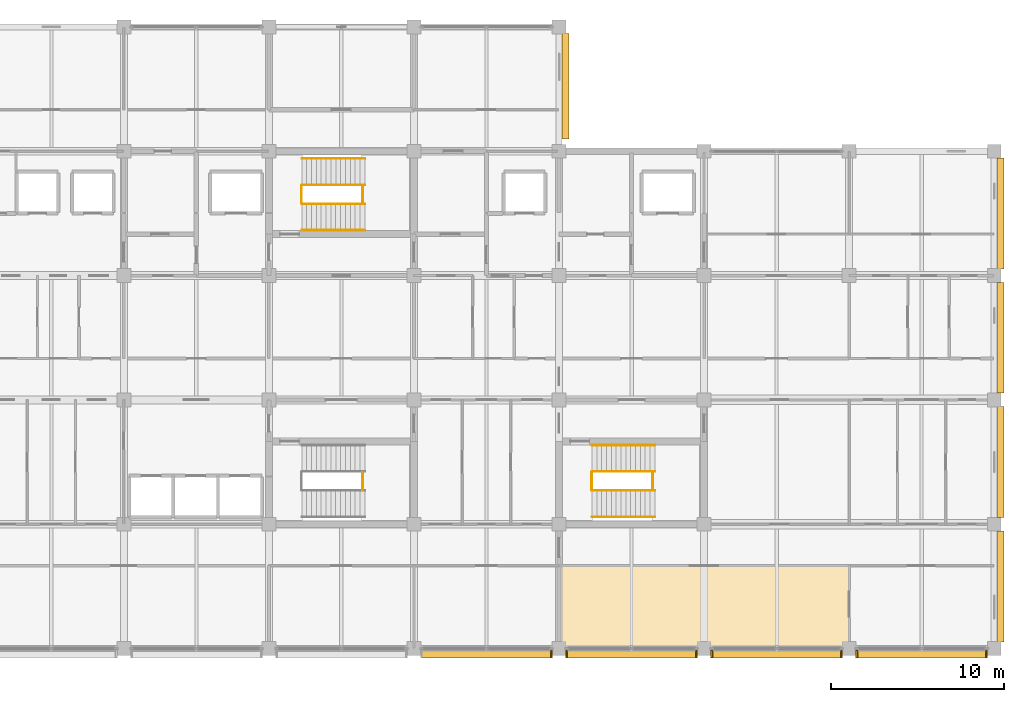
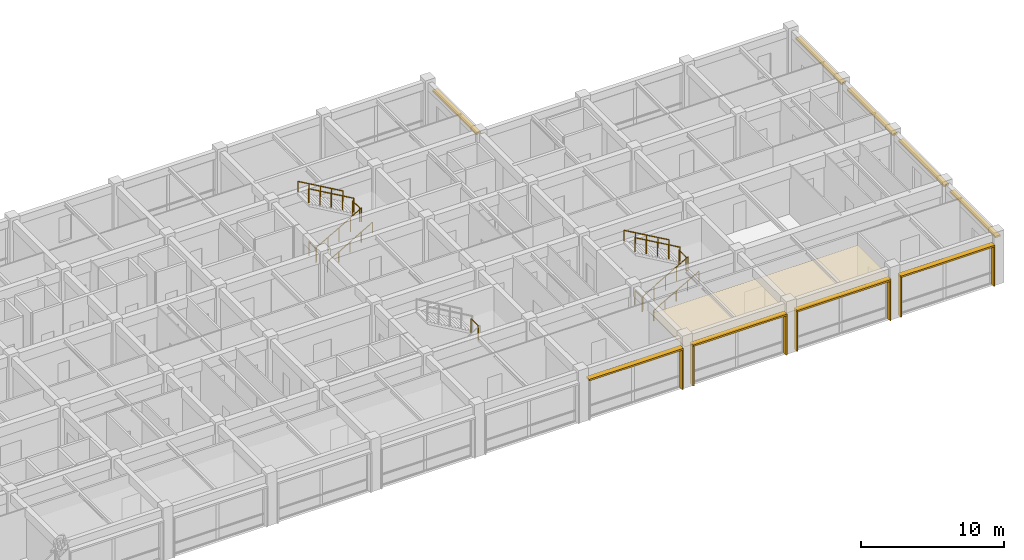
# One storey, part 30 of 30: 16 shading devices, 13 railings, 1 covering.
"""IFC4 building model written with IfcOpenShell, lengths in metres."""

from ifc_helpers import new_model, si_unit, direction, frame, origin, origin_2d, place, context, subcontext, project, spatial, polyline, rectangle, circle, outline, extrude, material, layer, layer_set, type_object, element, save


model = new_model("IFC4")

# Units and contexts
model_context = context("Model", 3, precision=1e-05, world=origin(), true_north=direction((0.0, 1.0)))
body_context = subcontext(model_context, "Body", "Model", "MODEL_VIEW")
ifc_project = project(units=[si_unit("LENGTHUNIT", "METRE"), si_unit("AREAUNIT", "SQUARE_METRE"), si_unit("VOLUMEUNIT", "CUBIC_METRE"), si_unit("PLANEANGLEUNIT", "RADIAN"), si_unit("MASSUNIT", "GRAM", prefix="KILO")], contexts=[model_context])

# Site, building, storey
site_placement = place(None, origin())
site = spatial("IfcSite", under=ifc_project, at=site_placement, CompositionType="ELEMENT")
building_placement = place(site_placement, origin())
building = spatial("IfcBuilding", under=site, at=building_placement, Name="Chengyuan Square Courthouse", CompositionType="ELEMENT")
storey_placement = place(building_placement, frame((0.0, 0.0, 26.10009765625)))
storey = spatial("IfcBuildingStorey", under=building, at=storey_placement, Name="L06", CompositionType="ELEMENT", Elevation=26.10009765625)

# Covering
ifc_material_1 = material(Name="Perforated Larch Glulam Acoustic Slat Ceiling", Category="wood")
ifc_layer = layer(ifc_material_1, 0.044921875)
ifc_layer_set = layer_set([ifc_layer], Name="Perforated Larch Glulam Acoustic Slat Ceiling")
covering_type = type_object("IfcCoveringType", Name="CLG-01", PredefinedType="CEILING", material=ifc_layer_set)
covering_placement = place(storey_placement, frame((0.0, 0.0, 3.139892578125)))
element("IfcCovering", 1, at=covering_placement, inside=storey, type_object=covering_type, Name="Acoustic Timber Slat Ceiling CLG-L06-CRT-M2", PredefinedType="CEILING", context=body_context, shape_type="SweptSolid", body=[
    extrude(outline(polyline([(117.64990234375, 79.25), (134.35009765625, 79.25), (134.35009765625, 83.949951171875), (117.64990234375, 83.949951171875), (117.64990234375, 79.25)])), origin(), (0.0, 0.0, 1.0), 0.044921875),
])

# Railings
ifc_material_2 = material(Name="Tempered Glass and Timber Top-Rail Balustrade", Category="wood")
railing_type_1 = type_object("IfcRailingType", Name="RL-02", PredefinedType="BALUSTRADE", material=ifc_material_2)
for number, where, name in (
    (2, (102.68994140625, 105.0, 0.0), "Stair Floor Slot Guard ST-2 L06"),
    (3, (106.22998046875, 105.0, 2.25), "Stair Landing Guard ST-2-L06"),
):
    element("IfcRailing", number, at=place(storey_placement, frame(where)), inside=storey, type_object=railing_type_1, Name=name, PredefinedType="BALUSTRADE", context=body_context, shape_type="SweptSolid", body=[
        extrude(circle(Radius=0.02392578125, at=origin_2d()), frame((0.0, 0.0, 1.17578125), z_axis=(0.0, 1.0, 0.0), x_axis=(-1.0, 0.0, 0.0)), (0.0, 0.0, 1.0), 1.0),
        extrude(circle(Radius=0.02099609375, at=origin_2d()), origin(), (0.0, 0.0, 1.0), 1.15185546875),
        extrude(circle(Radius=0.02099609375, at=origin_2d()), frame((0.0, 1.0, 0.0)), (0.0, 0.0, 1.0), 1.15185546875),
    ])
railing_1_placement = place(storey_placement, frame((102.7099609375, 104.949951171875, 0.16064453125)))
element("IfcRailing", 4, at=railing_1_placement, inside=storey, type_object=railing_type_1, Name="Stair Flight 1 Guard ST-2-L06", PredefinedType="BALUSTRADE", context=body_context, shape_type="SweptSolid", body=[
    extrude(circle(Radius=0.02392578125, at=origin_2d()), frame((0.0, 0.0, 1.17578125), z_axis=(0.867289372828, 0.0, 0.497804322781), x_axis=(0.0, 1.0, 0.0)), (0.0, 0.0, 1.0), 4.197021484375),
    extrude(circle(Radius=0.02099609375, at=origin_2d()), origin(), (0.0, 0.0, 1.0), 1.15185546875),
    extrude(circle(Radius=0.02099609375, at=origin_2d()), frame((0.91015625, 0.0, 0.5224609375)), (0.0, 0.0, 1.0), 1.15185546875),
    extrude(circle(Radius=0.02099609375, at=origin_2d()), frame((1.820068359375, 0.0, 1.044677734375)), (0.0, 0.0, 1.0), 1.15185546875),
    extrude(circle(Radius=0.02099609375, at=origin_2d()), frame((2.72998046875, 0.0, 1.56689453125)), (0.0, 0.0, 1.0), 1.15185546875),
    extrude(circle(Radius=0.02099609375, at=origin_2d()), frame((3.64013671875, 0.0, 2.08935546875)), (0.0, 0.0, 1.0), 1.15185546875),
])
railing_2_placement = place(storey_placement, frame((106.35009765625, 106.050048828125, 2.41064453125)))
element("IfcRailing", 5, at=railing_2_placement, inside=storey, type_object=railing_type_1, Name="Stair Flight 2 Guard ST-2-L06", PredefinedType="BALUSTRADE", context=body_context, shape_type="SweptSolid", body=[
    extrude(circle(Radius=0.02392578125, at=origin_2d()), frame((0.0, 0.0, 1.17578125), z_axis=(-0.867289372828, 0.0, 0.497804322781), x_axis=(0.0, -1.0, 0.0)), (0.0, 0.0, 1.0), 4.197021484375),
    extrude(circle(Radius=0.02099609375, at=origin_2d()), origin(), (0.0, 0.0, 1.0), 1.15185546875),
    extrude(circle(Radius=0.02099609375, at=origin_2d()), frame((-0.91015625, 0.0, 0.5224609375)), (0.0, 0.0, 1.0), 1.15185546875),
    extrude(circle(Radius=0.02099609375, at=origin_2d()), frame((-1.820068359375, 0.0, 1.044677734375)), (0.0, 0.0, 1.0), 1.15185546875),
    extrude(circle(Radius=0.02099609375, at=origin_2d()), frame((-2.72998046875, 0.0, 1.56689453125)), (0.0, 0.0, 1.0), 1.15185546875),
    extrude(circle(Radius=0.02099609375, at=origin_2d()), frame((-3.64013671875, 0.0, 2.08935546875)), (0.0, 0.0, 1.0), 1.15185546875),
])
for number, where, name in (
    (6, (106.22998046875, 88.39990234375, 2.25), "Stair Landing Guard ST-4-L06"),
    (7, (119.489990234375, 88.39990234375, 0.0), "Stair Floor Slot Guard ST-6 L06"),
    (8, (123.030029296875, 88.39990234375, 2.25), "Stair Landing Guard ST-6-L06"),
):
    element("IfcRailing", number, at=place(storey_placement, frame(where)), inside=storey, type_object=railing_type_1, Name=name, PredefinedType="BALUSTRADE", context=body_context, shape_type="SweptSolid", body=[
        extrude(circle(Radius=0.02392578125, at=origin_2d()), frame((0.0, 0.0, 1.17578125), z_axis=(0.0, 1.0, 0.0), x_axis=(-1.0, 0.0, 0.0)), (0.0, 0.0, 1.0), 1.0),
        extrude(circle(Radius=0.02099609375, at=origin_2d()), origin(), (0.0, 0.0, 1.0), 1.15185546875),
        extrude(circle(Radius=0.02099609375, at=origin_2d()), frame((0.0, 1.0, 0.0)), (0.0, 0.0, 1.0), 1.15185546875),
    ])
railing_3_placement = place(storey_placement, frame((119.510009765625, 88.35009765625, 0.16064453125)))
element("IfcRailing", 9, at=railing_3_placement, inside=storey, type_object=railing_type_1, Name="Stair Flight 1 Guard ST-6-L06", PredefinedType="BALUSTRADE", context=body_context, shape_type="SweptSolid", body=[
    extrude(circle(Radius=0.02392578125, at=origin_2d()), frame((0.0, 0.0, 1.17578125), z_axis=(0.8672749571, 0.0, 0.497829437445), x_axis=(0.0, 1.0, 0.0)), (0.0, 0.0, 1.0), 4.197021484375),
    extrude(circle(Radius=0.02099609375, at=origin_2d()), origin(), (0.0, 0.0, 1.0), 1.15185546875),
    extrude(circle(Radius=0.02099609375, at=origin_2d()), frame((0.909912109375, 0.0, 0.5224609375)), (0.0, 0.0, 1.0), 1.15185546875),
    extrude(circle(Radius=0.02099609375, at=origin_2d()), frame((1.81982421875, 0.0, 1.044677734375)), (0.0, 0.0, 1.0), 1.15185546875),
    extrude(circle(Radius=0.02099609375, at=origin_2d()), frame((2.72998046875, 0.0, 1.56689453125)), (0.0, 0.0, 1.0), 1.15185546875),
    extrude(circle(Radius=0.02099609375, at=origin_2d()), frame((3.639892578125, 0.0, 2.08935546875)), (0.0, 0.0, 1.0), 1.15185546875),
])
railing_4_placement = place(storey_placement, frame((123.14990234375, 89.449951171875, 2.41064453125)))
element("IfcRailing", 10, at=railing_4_placement, inside=storey, type_object=railing_type_1, Name="Stair Flight 2 Guard ST-6-L06", PredefinedType="BALUSTRADE", context=body_context, shape_type="SweptSolid", body=[
    extrude(circle(Radius=0.02392578125, at=origin_2d()), frame((0.0, 0.0, 1.17578125), z_axis=(-0.8672749571, 0.0, 0.497829437445), x_axis=(0.0, -1.0, 0.0)), (0.0, 0.0, 1.0), 4.197021484375),
    extrude(circle(Radius=0.02099609375, at=origin_2d()), origin(), (0.0, 0.0, 1.0), 1.15185546875),
    extrude(circle(Radius=0.02099609375, at=origin_2d()), frame((-0.909912109375, 0.0, 0.5224609375)), (0.0, 0.0, 1.0), 1.15185546875),
    extrude(circle(Radius=0.02099609375, at=origin_2d()), frame((-1.81982421875, 0.0, 1.044677734375)), (0.0, 0.0, 1.0), 1.15185546875),
    extrude(circle(Radius=0.02099609375, at=origin_2d()), frame((-2.72998046875, 0.0, 1.56689453125)), (0.0, 0.0, 1.0), 1.15185546875),
    extrude(circle(Radius=0.02099609375, at=origin_2d()), frame((-3.639892578125, 0.0, 2.08935546875)), (0.0, 0.0, 1.0), 1.15185546875),
])
ifc_material_3 = material(Name="Stainless Steel S30408 Stair Handrail", Category="steel")
railing_type_2 = type_object("IfcRailingType", Name="RL-04", PredefinedType="HANDRAIL", material=ifc_material_3)
railing_5_placement = place(storey_placement, frame((102.7099609375, 103.419921875, 0.16064453125)))
element("IfcRailing", 11, at=railing_5_placement, inside=storey, type_object=railing_type_2, Name="Stair Flight 1 Handrail ST-2-L06", PredefinedType="HANDRAIL", context=body_context, shape_type="SweptSolid", body=[
    extrude(circle(Radius=0.02392578125, at=origin_2d()), frame((0.0, 0.0, 0.8759765625), z_axis=(0.867289372828, 0.0, 0.497804322781), x_axis=(0.0, 1.0, 0.0)), (0.0, 0.0, 1.0), 4.197021484375),
    extrude(circle(Radius=0.02099609375, at=origin_2d()), origin(), (0.0, 0.0, 1.0), 0.851806640625),
    extrude(circle(Radius=0.02099609375, at=origin_2d()), frame((0.91015625, 0.0, 0.5224609375)), (0.0, 0.0, 1.0), 0.851806640625),
    extrude(circle(Radius=0.02099609375, at=origin_2d()), frame((1.820068359375, 0.0, 1.044677734375)), (0.0, 0.0, 1.0), 0.851806640625),
    extrude(circle(Radius=0.02099609375, at=origin_2d()), frame((2.72998046875, 0.0, 1.56689453125)), (0.0, 0.0, 1.0), 0.851806640625),
    extrude(circle(Radius=0.02099609375, at=origin_2d()), frame((3.64013671875, 0.0, 2.08935546875)), (0.0, 0.0, 1.0), 0.851806640625),
])
railing_6_placement = place(storey_placement, frame((106.35009765625, 107.580078125, 2.41064453125)))
element("IfcRailing", 12, at=railing_6_placement, inside=storey, type_object=railing_type_2, Name="Stair Flight 2 Handrail ST-2-L06", PredefinedType="HANDRAIL", context=body_context, shape_type="SweptSolid", body=[
    extrude(circle(Radius=0.02392578125, at=origin_2d()), frame((0.0, 0.0, 0.8759765625), z_axis=(-0.867289372828, 0.0, 0.497804322781), x_axis=(0.0, -1.0, 0.0)), (0.0, 0.0, 1.0), 4.197021484375),
    extrude(circle(Radius=0.02099609375, at=origin_2d()), origin(), (0.0, 0.0, 1.0), 0.851806640625),
    extrude(circle(Radius=0.02099609375, at=origin_2d()), frame((-0.91015625, 0.0, 0.5224609375)), (0.0, 0.0, 1.0), 0.851806640625),
    extrude(circle(Radius=0.02099609375, at=origin_2d()), frame((-1.820068359375, 0.0, 1.044677734375)), (0.0, 0.0, 1.0), 0.851806640625),
    extrude(circle(Radius=0.02099609375, at=origin_2d()), frame((-2.72998046875, 0.0, 1.56689453125)), (0.0, 0.0, 1.0), 0.851806640625),
    extrude(circle(Radius=0.02099609375, at=origin_2d()), frame((-3.64013671875, 0.0, 2.08935546875)), (0.0, 0.0, 1.0), 0.851806640625),
])
railing_7_placement = place(storey_placement, frame((119.510009765625, 86.820068359375, 0.16064453125)))
element("IfcRailing", 13, at=railing_7_placement, inside=storey, type_object=railing_type_2, Name="Stair Flight 1 Handrail ST-6-L06", PredefinedType="HANDRAIL", context=body_context, shape_type="SweptSolid", body=[
    extrude(circle(Radius=0.02392578125, at=origin_2d()), frame((0.0, 0.0, 0.8759765625), z_axis=(0.8672749571, 0.0, 0.497829437445), x_axis=(0.0, 1.0, 0.0)), (0.0, 0.0, 1.0), 4.197021484375),
    extrude(circle(Radius=0.02099609375, at=origin_2d()), origin(), (0.0, 0.0, 1.0), 0.851806640625),
    extrude(circle(Radius=0.02099609375, at=origin_2d()), frame((0.909912109375, 0.0, 0.5224609375)), (0.0, 0.0, 1.0), 0.851806640625),
    extrude(circle(Radius=0.02099609375, at=origin_2d()), frame((1.81982421875, 0.0, 1.044677734375)), (0.0, 0.0, 1.0), 0.851806640625),
    extrude(circle(Radius=0.02099609375, at=origin_2d()), frame((2.72998046875, 0.0, 1.56689453125)), (0.0, 0.0, 1.0), 0.851806640625),
    extrude(circle(Radius=0.02099609375, at=origin_2d()), frame((3.639892578125, 0.0, 2.08935546875)), (0.0, 0.0, 1.0), 0.851806640625),
])
railing_8_placement = place(storey_placement, frame((123.14990234375, 90.97998046875, 2.41064453125)))
element("IfcRailing", 14, at=railing_8_placement, inside=storey, type_object=railing_type_2, Name="Stair Flight 2 Handrail ST-6-L06", PredefinedType="HANDRAIL", context=body_context, shape_type="SweptSolid", body=[
    extrude(circle(Radius=0.02392578125, at=origin_2d()), frame((0.0, 0.0, 0.8759765625), z_axis=(-0.8672749571, 0.0, 0.497829437445), x_axis=(0.0, -1.0, 0.0)), (0.0, 0.0, 1.0), 4.197021484375),
    extrude(circle(Radius=0.02099609375, at=origin_2d()), origin(), (0.0, 0.0, 1.0), 0.851806640625),
    extrude(circle(Radius=0.02099609375, at=origin_2d()), frame((-0.909912109375, 0.0, 0.5224609375)), (0.0, 0.0, 1.0), 0.851806640625),
    extrude(circle(Radius=0.02099609375, at=origin_2d()), frame((-1.81982421875, 0.0, 1.044677734375)), (0.0, 0.0, 1.0), 0.851806640625),
    extrude(circle(Radius=0.02099609375, at=origin_2d()), frame((-2.72998046875, 0.0, 1.56689453125)), (0.0, 0.0, 1.0), 0.851806640625),
    extrude(circle(Radius=0.02099609375, at=origin_2d()), frame((-3.639892578125, 0.0, 2.08935546875)), (0.0, 0.0, 1.0), 0.851806640625),
])

# Shading devices
ifc_material_4 = material(Name="Glulam TCt28 Solar Shading Fin", Category="wood")
shading_device_type_1 = type_object("IfcShadingDeviceType", Name="SHD-01", PredefinedType="JALOUSIE", material=ifc_material_4)
for number, where, z_axis, x_axis, name in (
    (15, (117.159912109375, 78.887939453125, 0.0400390625), (0.0, 0.0, 1.0), (0.0, 1.0, 0.0), "Glulam Solar Fin SHD-L06-0613"),
    (16, (118.0400390625, 78.887939453125, 0.0400390625), (0.0, 0.0, 1.0), (0.0, 1.0, 0.0), "Glulam Solar Fin SHD-L06-0616"),
    (17, (125.56005859375, 78.887939453125, 0.0400390625), (0.0, 0.0, 1.0), (0.0, 1.0, 0.0), "Glulam Solar Fin SHD-L06-0617"),
    (18, (126.43994140625, 78.887939453125, 0.0400390625), (0.0, 0.0, 1.0), (0.0, 1.0, 0.0), "Glulam Solar Fin SHD-L06-0619"),
    (19, (133.9599609375, 78.887939453125, 0.0400390625), (0.0, 0.0, 1.0), (0.0, 1.0, 0.0), "Glulam Solar Fin SHD-L06-0620"),
    (20, (134.840087890625, 78.887939453125, 0.0400390625), (0.0, 0.0, 1.0), (0.0, 1.0, 0.0), "Glulam Solar Fin SHD-L06-0622"),
    (21, (142.360107421875, 78.887939453125, 0.0400390625), (0.0, 0.0, 1.0), (0.0, 1.0, 0.0), "Glulam Solar Fin SHD-L06-0623"),
):
    element("IfcShadingDevice", number, at=place(storey_placement, frame(where, z_axis=z_axis, x_axis=x_axis)), inside=storey, type_object=shading_device_type_1, Name=name, PredefinedType="JALOUSIE", context=body_context, shape_type="SweptSolid", body=[
        extrude(rectangle(XDim=0.419921875, YDim=0.094970703125, at=origin_2d()), origin(), (0.0, 0.0, 1.0), 3.3798828125),
    ])
ifc_material_5 = material(Name="Glulam TCt28 Sunshade Louvre", Category="wood")
shading_device_type_2 = type_object("IfcShadingDeviceType", Name="SHD-02", PredefinedType="AWNING", material=ifc_material_5)
for number, where, z_axis, x_axis, name in (
    (22, (113.39990234375, 78.887939453125, 3.419921875), (0.0, 0.0, 1.0), (1.0, 0.0, 0.0), "Glulam Sunshade Louvre SHD-L06-0614"),
    (23, (121.800048828125, 78.887939453125, 3.419921875), (0.0, 0.0, 1.0), (1.0, 0.0, 0.0), "Glulam Sunshade Louvre SHD-L06-0618"),
    (24, (130.199951171875, 78.887939453125, 3.419921875), (0.0, 0.0, 1.0), (1.0, 0.0, 0.0), "Glulam Sunshade Louvre SHD-L06-0621"),
    (25, (138.60009765625, 78.887939453125, 3.419921875), (0.0, 0.0, 1.0), (1.0, 0.0, 0.0), "Glulam Sunshade Louvre SHD-L06-0624"),
):
    element("IfcShadingDevice", number, at=place(storey_placement, frame(where, z_axis=z_axis, x_axis=x_axis)), inside=storey, type_object=shading_device_type_2, Name=name, PredefinedType="AWNING", context=body_context, shape_type="SweptSolid", body=[
        extrude(rectangle(XDim=7.60009765625, YDim=0.43994140625, at=origin_2d()), origin(), (0.0, 0.0, 1.0), 0.139892578125),
    ])
ifc_material_6 = material(Name="Glulam TCt28 Facade Sunshade", Category="wood")
shading_device_type_3 = type_object("IfcShadingDeviceType", Name="SHD-03", PredefinedType="AWNING", material=ifc_material_6)
shading_device_placement = place(storey_placement, frame((117.967041015625, 111.75, 3.39990234375), z_axis=(0.0, 0.0, 1.0), x_axis=(0.0, 1.0, 0.0)))
element("IfcShadingDevice", 26, at=shading_device_placement, inside=storey, type_object=shading_device_type_3, Name="Glulam Facade Sunshade SHD-L06-0615", PredefinedType="AWNING", context=body_context, shape_type="SweptSolid", body=[
    extrude(rectangle(XDim=6.110107421875, YDim=0.39990234375, at=origin_2d()), origin(), (0.0, 0.0, 1.0), 0.139892578125),
])
for number, where, z_axis, x_axis, name in (
    (27, (143.1669921875, 82.800048828125, 3.39990234375), (0.0, 0.0, 1.0), (0.0, 1.0, 0.0), "Glulam Facade Sunshade SHD-L06-0625"),
    (28, (143.1669921875, 90.0, 3.39990234375), (0.0, 0.0, 1.0), (0.0, 1.0, 0.0), "Glulam Facade Sunshade SHD-L06-0626"),
    (29, (143.1669921875, 97.199951171875, 3.39990234375), (0.0, 0.0, 1.0), (0.0, 1.0, 0.0), "Glulam Facade Sunshade SHD-L06-0627"),
    (30, (143.1669921875, 104.39990234375, 3.39990234375), (0.0, 0.0, 1.0), (0.0, 1.0, 0.0), "Glulam Facade Sunshade SHD-L06-0628"),
):
    element("IfcShadingDevice", number, at=place(storey_placement, frame(where, z_axis=z_axis, x_axis=x_axis)), inside=storey, type_object=shading_device_type_3, Name=name, PredefinedType="AWNING", context=body_context, shape_type="SweptSolid", body=[
        extrude(rectangle(XDim=6.409912109375, YDim=0.39990234375, at=origin_2d()), origin(), (0.0, 0.0, 1.0), 0.139892578125),
    ])

save(model, "model.ifc")
